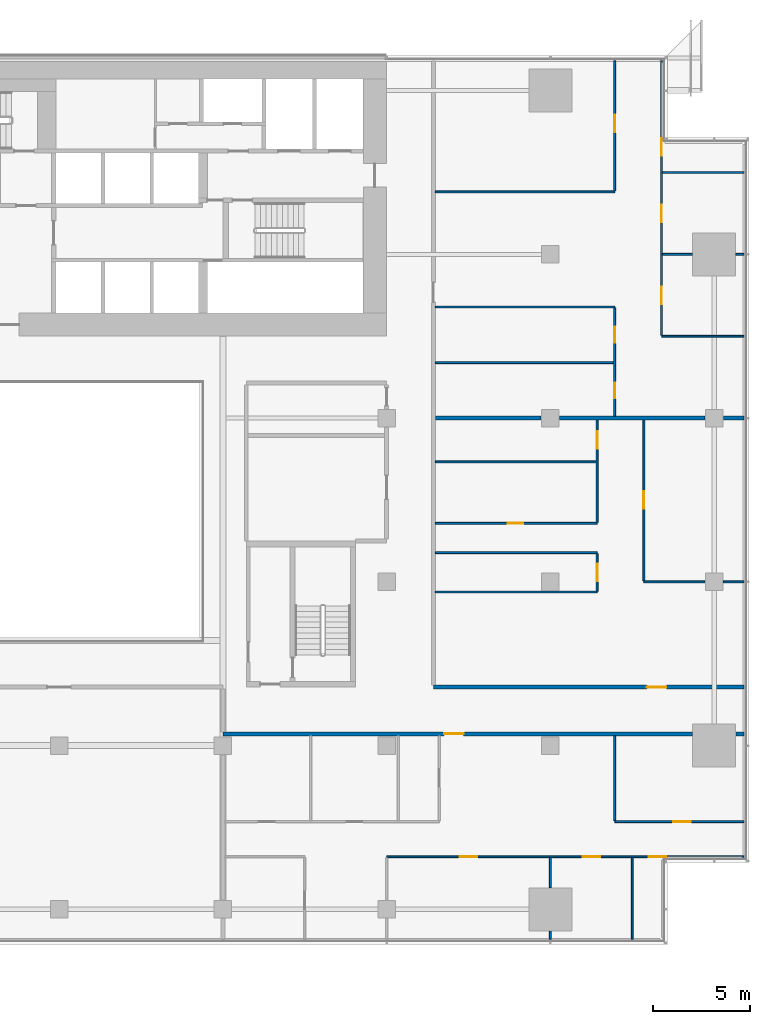
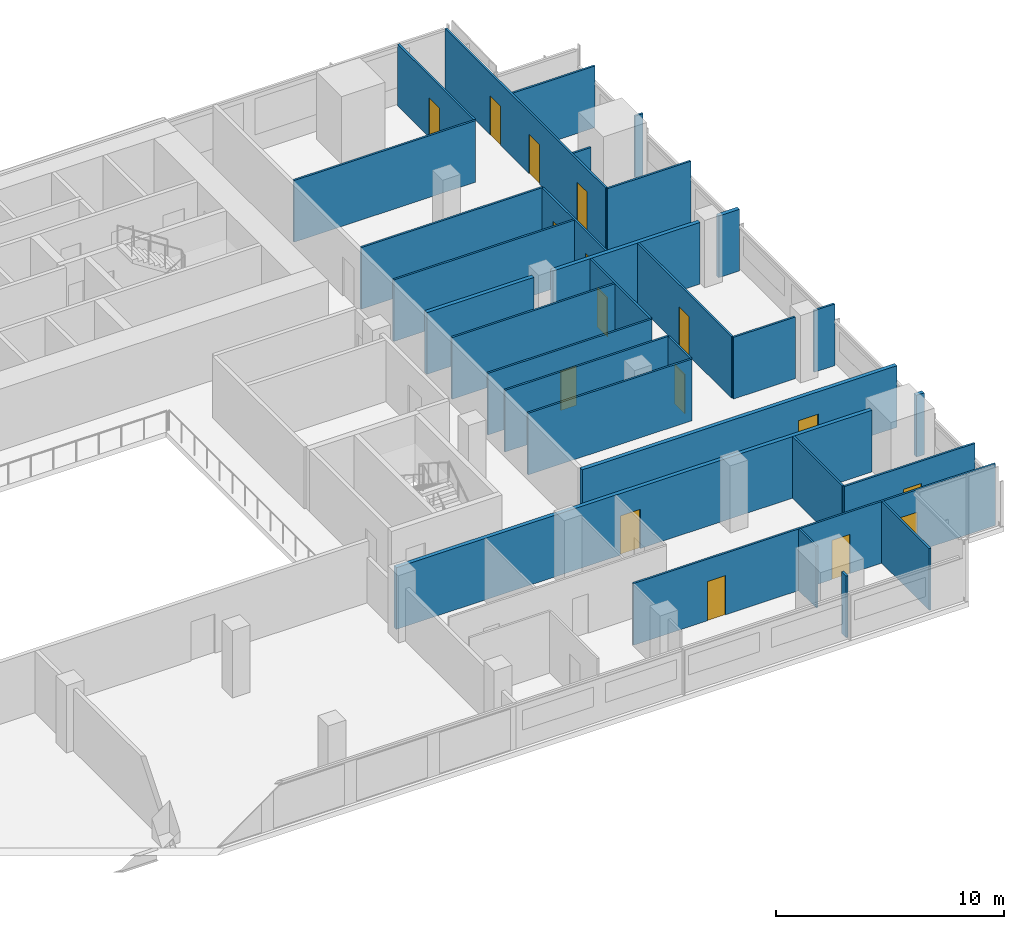
# One storey, part 22 of 25: 31 walls, 16 doors, 16 openings.
"""IFC4 building model written with IfcOpenShell, lengths in metres."""

from ifc_helpers import new_model, si_unit, direction, frame, frame_2d, origin, place, context, subcontext, project, spatial, rectangle, extrude, material, layer, layer_set, type_object, element, fill, save


model = new_model("IFC4")

# Units and contexts
model_context = context("Model", 3, precision=1e-05, world=origin(), true_north=direction((0.0, 1.0)))
body_context = subcontext(model_context, "Body", "Model", "MODEL_VIEW")
ifc_project = project(units=[si_unit("LENGTHUNIT", "METRE"), si_unit("AREAUNIT", "SQUARE_METRE"), si_unit("VOLUMEUNIT", "CUBIC_METRE"), si_unit("PLANEANGLEUNIT", "RADIAN"), si_unit("MASSUNIT", "GRAM", prefix="KILO")], contexts=[model_context])

# Site, building, storey
site_placement = place(None, origin())
site = spatial("IfcSite", under=ifc_project, at=site_placement, CompositionType="ELEMENT")
building_placement = place(site_placement, origin())
building = spatial("IfcBuilding", under=site, at=building_placement, Name="Saffron Gate Tower", CompositionType="ELEMENT")
storey_placement = place(building_placement, frame((0.0, 0.0, 80.39990234375)))
storey = spatial("IfcBuildingStorey", under=building, at=storey_placement, Name="L19", CompositionType="ELEMENT", Elevation=80.39990234375)

# Wall, openings, doors
ifc_material_1 = material(Name="Plasterboard on steel studs", Category="steel")
ifc_layer_1 = layer(ifc_material_1, 0.10009765625)
ifc_layer_set_1 = layer_set([ifc_layer_1], Name="PW1 Partition 100")
wall_type_1 = type_object("IfcWallType", Name="PW1 Partition 100", PredefinedType="PARTITIONING", material=ifc_layer_set_1)
wall_1_placement = place(storey_placement, frame((126.919921875, 34.5, 0.0), z_axis=(0.0, 0.0, 1.0), x_axis=(-1.0, 0.0, 0.0)))
wall_1 = element("IfcWall", 1, at=wall_1_placement, inside=storey, type_object=wall_type_1, Name="Partition A5-2", PredefinedType="PARTITIONING", context=body_context, shape_type="SweptSolid", body=[
    extrude(rectangle(XDim=18.31982421875, YDim=0.10009765625, at=frame_2d((9.159912109375, 0.0))), origin(), (0.0, 0.0, 1.0), 3.300048828125),
])
opening_1_placement = place(wall_1_placement, frame((3.96630859375, 0.0, 0.0)))
opening_1 = element("IfcOpeningElement", 2, at=opening_1_placement, cuts=wall_1, Name="Opening A5-9", PredefinedType="OPENING", context=body_context, shape_type="SweptSolid", body=[
    extrude(rectangle(XDim=0.89990234375, YDim=2.10009765625, at=frame_2d((0.449951171875, 1.050048828125))), frame((0.0, 0.06005859375, 0.0), z_axis=(0.0, -1.0, 0.0), x_axis=(1.0, 0.0, 0.0)), (0.0, 0.0, 1.0), 0.1201171875),
])
opening_2_placement = place(wall_1_placement, frame((7.3701171875, 0.0, 0.0)))
opening_2 = element("IfcOpeningElement", 3, at=opening_2_placement, cuts=wall_1, Name="Opening A5-8", PredefinedType="OPENING", context=body_context, shape_type="SweptSolid", body=[
    extrude(rectangle(XDim=0.89990234375, YDim=2.10009765625, at=frame_2d((0.449951171875, 1.050048828125))), frame((0.0, 0.06005859375, 0.0), z_axis=(0.0, -1.0, 0.0), x_axis=(1.0, 0.0, 0.0)), (0.0, 0.0, 1.0), 0.1201171875),
])
opening_3_placement = place(wall_1_placement, frame((13.669921875, 0.0, 0.0)))
opening_3 = element("IfcOpeningElement", 4, at=opening_3_placement, cuts=wall_1, Name="Opening A5-7", PredefinedType="OPENING", context=body_context, shape_type="SweptSolid", body=[
    extrude(rectangle(XDim=0.89990234375, YDim=2.10009765625, at=frame_2d((0.449951171875, 1.050048828125))), frame((0.0, 0.06005859375, 0.0), z_axis=(0.0, -1.0, 0.0), x_axis=(1.0, 0.0, 0.0)), (0.0, 0.0, 1.0), 0.1201171875),
])
ifc_material_2 = material(Name="Timber door set", Category="wood")
door_type_1 = type_object("IfcDoorType", Name="RD1 Room door 900x2100", OperationType="NOTDEFINED", PredefinedType="DOOR", material=ifc_material_2)
door_1_placement = place(opening_1_placement, origin())
door_1 = element("IfcDoor", 5, at=door_1_placement, inside=storey, type_object=door_type_1, Name="Door A5-9", OperationType="SINGLE_SWING_RIGHT", OverallHeight=2.10009765625, OverallWidth=0.89990234375, PredefinedType="DOOR", context=body_context, shape_type="SweptSolid", body=[
    extrude(rectangle(XDim=0.89990234375, YDim=2.10009765625, at=frame_2d((0.449951171875, 1.050048828125))), frame((0.0, 0.02490234375, 0.0), z_axis=(0.0, -1.0, 0.0), x_axis=(1.0, 0.0, 0.0)), (0.0, 0.0, 1.0), 0.050048828125),
])
fill(opening_1, door_1)
door_2_placement = place(opening_2_placement, origin())
door_2 = element("IfcDoor", 6, at=door_2_placement, inside=storey, type_object=door_type_1, Name="Door A5-8", OperationType="SINGLE_SWING_RIGHT", OverallHeight=2.10009765625, OverallWidth=0.89990234375, PredefinedType="DOOR", context=body_context, shape_type="SweptSolid", body=[
    extrude(rectangle(XDim=0.89990234375, YDim=2.10009765625, at=frame_2d((0.449951171875, 1.050048828125))), frame((0.0, 0.02490234375, 0.0), z_axis=(0.0, -1.0, 0.0), x_axis=(1.0, 0.0, 0.0)), (0.0, 0.0, 1.0), 0.050048828125),
])
fill(opening_2, door_2)
door_3_placement = place(opening_3_placement, origin())
door_3 = element("IfcDoor", 7, at=door_3_placement, inside=storey, type_object=door_type_1, Name="Door A5-7", OperationType="SINGLE_SWING_RIGHT", OverallHeight=2.10009765625, OverallWidth=0.89990234375, PredefinedType="DOOR", context=body_context, shape_type="SweptSolid", body=[
    extrude(rectangle(XDim=0.89990234375, YDim=2.10009765625, at=frame_2d((0.449951171875, 1.050048828125))), frame((0.0, 0.02490234375, 0.0), z_axis=(0.0, -1.0, 0.0), x_axis=(1.0, 0.0, 0.0)), (0.0, 0.0, 1.0), 0.050048828125),
])
fill(opening_3, door_3)

# Wall, opening, door
wall_2_placement = place(storey_placement, frame((120.300048828125, 36.300048828125, 0.0), z_axis=(0.0, 0.0, 1.0), x_axis=(1.0, 0.0, 0.0)))
wall_2 = element("IfcWall", 8, at=wall_2_placement, inside=storey, type_object=wall_type_1, Name="Partition A5-4", PredefinedType="PARTITIONING", context=body_context, shape_type="SweptSolid", body=[
    extrude(rectangle(XDim=6.619873046875, YDim=0.10009765625, at=frame_2d((3.31005859375, 0.0))), origin(), (0.0, 0.0, 1.0), 3.300048828125),
])
opening_4_placement = place(wall_2_placement, frame((3.0, 0.0, 0.0)))
opening_4 = element("IfcOpeningElement", 9, at=opening_4_placement, cuts=wall_2, Name="Opening A5-10", PredefinedType="OPENING", context=body_context, shape_type="SweptSolid", body=[
    extrude(rectangle(XDim=0.89990234375, YDim=2.10009765625, at=frame_2d((0.449951171875, 1.050048828125))), frame((0.0, 0.06005859375, 0.0), z_axis=(0.0, -1.0, 0.0), x_axis=(1.0, 0.0, 0.0)), (0.0, 0.0, 1.0), 0.1201171875),
])
door_4_placement = place(opening_4_placement, origin())
door_4 = element("IfcDoor", 10, at=door_4_placement, inside=storey, type_object=door_type_1, Name="Door A5-10", OperationType="SINGLE_SWING_RIGHT", OverallHeight=2.10009765625, OverallWidth=0.89990234375, PredefinedType="DOOR", context=body_context, shape_type="SweptSolid", body=[
    extrude(rectangle(XDim=0.89990234375, YDim=2.10009765625, at=frame_2d((0.449951171875, 1.050048828125))), frame((0.0, 0.02490234375, 0.0), z_axis=(0.0, -1.0, 0.0), x_axis=(1.0, 0.0, 0.0)), (0.0, 0.0, 1.0), 0.050048828125),
])
fill(opening_4, door_4)

# Walls
wall_3_placement = place(storey_placement, frame((111.10009765625, 48.0810546875, 0.0), z_axis=(0.0, 0.0, 1.0), x_axis=(1.0, 0.0, 0.0)))
element("IfcWall", 11, at=wall_3_placement, inside=storey, type_object=wall_type_1, Name="Partition A5-12", PredefinedType="PARTITIONING", context=body_context, shape_type="SweptSolid", body=[
    extrude(rectangle(XDim=8.2998046875, YDim=0.10009765625, at=frame_2d((4.14990234375, 0.0))), origin(), (0.0, 0.0, 1.0), 3.300048828125),
])
wall_4_placement = place(storey_placement, frame((121.800048828125, 48.60009765625, 0.0), z_axis=(0.0, 0.0, 1.0), x_axis=(1.0, 0.0, 0.0)))
element("IfcWall", 12, at=wall_4_placement, inside=storey, type_object=wall_type_1, Name="Partition A5-17", PredefinedType="PARTITIONING", context=body_context, shape_type="SweptSolid", body=[
    extrude(rectangle(XDim=3.1298828125, YDim=0.10009765625, at=frame_2d((1.56494140625, 0.0))), origin(), (0.0, 0.0, 1.0), 3.300048828125),
])
wall_5_placement = place(storey_placement, frame((125.8701171875, 48.60009765625, 0.0), z_axis=(0.0, 0.0, 1.0), x_axis=(1.0, 0.0, 0.0)))
element("IfcWall", 13, at=wall_5_placement, inside=storey, type_object=wall_type_1, Name="Partition A5-18", PredefinedType="PARTITIONING", context=body_context, shape_type="SweptSolid", body=[
    extrude(rectangle(XDim=1.0498046875, YDim=0.10009765625, at=frame_2d((0.52490234375, 0.0))), origin(), (0.0, 0.0, 1.0), 3.300048828125),
])
wall_6_placement = place(storey_placement, frame((111.10009765625, 50.10009765625, 0.0), z_axis=(0.0, 0.0, 1.0), x_axis=(1.0, 0.0, 0.0)))
element("IfcWall", 14, at=wall_6_placement, inside=storey, type_object=wall_type_1, Name="Partition A5-19", PredefinedType="PARTITIONING", context=body_context, shape_type="SweptSolid", body=[
    extrude(rectangle(XDim=8.2998046875, YDim=0.10009765625, at=frame_2d((4.14990234375, 0.0))), origin(), (0.0, 0.0, 1.0), 3.300048828125),
])

# Wall, opening, door
wall_7_placement = place(storey_placement, frame((111.10009765625, 51.60009765625, 0.0), z_axis=(0.0, 0.0, 1.0), x_axis=(1.0, 0.0, 0.0)))
wall_7 = element("IfcWall", 15, at=wall_7_placement, inside=storey, type_object=wall_type_1, Name="Partition A5-22", PredefinedType="PARTITIONING", context=body_context, shape_type="SweptSolid", body=[
    extrude(rectangle(XDim=8.2998046875, YDim=0.10009765625, at=frame_2d((4.14990234375, 0.0))), origin(), (0.0, 0.0, 1.0), 3.300048828125),
])
opening_5_placement = place(wall_7_placement, frame((3.699951171875, 0.0, 0.0)))
opening_5 = element("IfcOpeningElement", 16, at=opening_5_placement, cuts=wall_7, Name="Opening A5-31", PredefinedType="OPENING", context=body_context, shape_type="SweptSolid", body=[
    extrude(rectangle(XDim=0.800048828125, YDim=2.10009765625, at=frame_2d((0.39990234375, 1.050048828125))), frame((0.0, 0.06005859375, 0.0), z_axis=(0.0, -1.0, 0.0), x_axis=(1.0, 0.0, 0.0)), (0.0, 0.0, 1.0), 0.1201171875),
])
door_type_2 = type_object("IfcDoorType", Name="RD2 Bathroom door 800x2100", OperationType="NOTDEFINED", PredefinedType="DOOR", material=ifc_material_2)
door_5_placement = place(opening_5_placement, origin())
door_5 = element("IfcDoor", 17, at=door_5_placement, inside=storey, type_object=door_type_2, Name="Door A5-31", OperationType="SINGLE_SWING_LEFT", OverallHeight=2.10009765625, OverallWidth=0.800048828125, PredefinedType="DOOR", context=body_context, shape_type="SweptSolid", body=[
    extrude(rectangle(XDim=0.800048828125, YDim=2.10009765625, at=frame_2d((0.39990234375, 1.050048828125))), frame((0.0, 0.02490234375, 0.0), z_axis=(0.0, -1.0, 0.0), x_axis=(1.0, 0.0, 0.0)), (0.0, 0.0, 1.0), 0.050048828125),
])
fill(opening_5, door_5)

# Walls
wall_8_placement = place(storey_placement, frame((111.10009765625, 54.7548828125, 0.0), z_axis=(0.0, 0.0, 1.0), x_axis=(1.0, 0.0, 0.0)))
element("IfcWall", 18, at=wall_8_placement, inside=storey, type_object=wall_type_1, Name="Partition A5-24", PredefinedType="PARTITIONING", context=body_context, shape_type="SweptSolid", body=[
    extrude(rectangle(XDim=8.25, YDim=0.10009765625, at=frame_2d((4.125, 0.0))), origin(), (0.0, 0.0, 1.0), 3.300048828125),
])
wall_9_placement = place(storey_placement, frame((111.10009765625, 59.849609375, 0.0), z_axis=(0.0, 0.0, 1.0), x_axis=(1.0, 0.0, 0.0)))
element("IfcWall", 19, at=wall_9_placement, inside=storey, type_object=wall_type_1, Name="Partition A5-34", PredefinedType="PARTITIONING", context=body_context, shape_type="SweptSolid", body=[
    extrude(rectangle(XDim=9.14990234375, YDim=0.10009765625, at=frame_2d((4.574951171875, 0.0))), origin(), (0.0, 0.0, 1.0), 3.300048828125),
])
wall_10_placement = place(storey_placement, frame((122.699951171875, 61.199951171875, 0.0), z_axis=(0.0, 0.0, 1.0), x_axis=(1.0, 0.0, 0.0)))
element("IfcWall", 20, at=wall_10_placement, inside=storey, type_object=wall_type_1, Name="Partition A5-37", PredefinedType="PARTITIONING", context=body_context, shape_type="SweptSolid", body=[
    extrude(rectangle(XDim=4.219970703125, YDim=0.10009765625, at=frame_2d((2.10986328125, 0.0))), origin(), (0.0, 0.0, 1.0), 3.300048828125),
])
wall_11_placement = place(storey_placement, frame((111.10009765625, 62.699951171875, 0.0), z_axis=(0.0, 0.0, 1.0), x_axis=(1.0, 0.0, 0.0)))
element("IfcWall", 21, at=wall_11_placement, inside=storey, type_object=wall_type_1, Name="Partition A5-38", PredefinedType="PARTITIONING", context=body_context, shape_type="SweptSolid", body=[
    extrude(rectangle(XDim=9.199951171875, YDim=0.10009765625, at=frame_2d((4.60009765625, 0.0))), origin(), (0.0, 0.0, 1.0), 3.300048828125),
])
wall_12_placement = place(storey_placement, frame((122.75, 65.39990234375, 0.0), z_axis=(0.0, 0.0, 1.0), x_axis=(1.0, 0.0, 0.0)))
element("IfcWall", 22, at=wall_12_placement, inside=storey, type_object=wall_type_1, Name="Partition A5-43", PredefinedType="PARTITIONING", context=body_context, shape_type="SweptSolid", body=[
    extrude(rectangle(XDim=1.530029296875, YDim=0.10009765625, at=frame_2d((0.76513671875, 0.0))), origin(), (0.0, 0.0, 1.0), 2.41015625),
])
wall_13_placement = place(storey_placement, frame((126.52001953125, 65.39990234375, 0.0), z_axis=(0.0, 0.0, 1.0), x_axis=(1.0, 0.0, 0.0)))
element("IfcWall", 23, at=wall_13_placement, inside=storey, type_object=wall_type_1, Name="Partition A5-44", PredefinedType="PARTITIONING", context=body_context, shape_type="SweptSolid", body=[
    extrude(rectangle(XDim=0.39990234375, YDim=0.10009765625, at=frame_2d((0.199951171875, 0.0))), origin(), (0.0, 0.0, 1.0), 3.300048828125),
])
wall_14_placement = place(storey_placement, frame((111.10009765625, 68.608642578125, 0.0), z_axis=(0.0, 0.0, 1.0), x_axis=(1.0, 0.0, 0.0)))
element("IfcWall", 24, at=wall_14_placement, inside=storey, type_object=wall_type_1, Name="Partition A5-45", PredefinedType="PARTITIONING", context=body_context, shape_type="SweptSolid", body=[
    extrude(rectangle(XDim=9.199951171875, YDim=0.10009765625, at=frame_2d((4.60009765625, 0.0))), origin(), (0.0, 0.0, 1.0), 3.300048828125),
])
wall_15_placement = place(storey_placement, frame((122.75, 69.60009765625, 0.0), z_axis=(0.0, 0.0, 1.0), x_axis=(1.0, 0.0, 0.0)))
element("IfcWall", 25, at=wall_15_placement, inside=storey, type_object=wall_type_1, Name="Partition A5-47", PredefinedType="PARTITIONING", context=body_context, shape_type="SweptSolid", body=[
    extrude(rectangle(XDim=4.169921875, YDim=0.10009765625, at=frame_2d((2.0849609375, 0.0))), origin(), (0.0, 0.0, 1.0), 3.300048828125),
])
wall_16_placement = place(storey_placement, frame((117.0, 30.679931640625, 0.0), z_axis=(0.0, 0.0, 1.0), x_axis=(0.0, -1.0, 0.0)))
element("IfcWall", 26, at=wall_16_placement, inside=storey, type_object=wall_type_1, Name="Partition A5-81", PredefinedType="PARTITIONING", context=body_context, shape_type="SweptSolid", body=[
    extrude(rectangle(XDim=0.39990234375, YDim=0.10009765625, at=frame_2d((0.199951171875, 0.0))), origin(), (0.0, 0.0, 1.0), 3.300048828125),
])
wall_17_placement = place(storey_placement, frame((117.0, 34.449951171875, 0.0), z_axis=(0.0, 0.0, 1.0), x_axis=(0.0, -1.0, 0.0)))
element("IfcWall", 27, at=wall_17_placement, inside=storey, type_object=wall_type_1, Name="Partition A5-82", PredefinedType="PARTITIONING", context=body_context, shape_type="SweptSolid", body=[
    extrude(rectangle(XDim=1.530029296875, YDim=0.10009765625, at=frame_2d((0.76513671875, 0.0))), origin(), (0.0, 0.0, 1.0), 3.300048828125),
])

# Wall, opening, door
wall_18_placement = place(storey_placement, frame((119.39990234375, 48.131103515625, 0.0), z_axis=(0.0, 0.0, 1.0), x_axis=(0.0, 1.0, 0.0)))
wall_18 = element("IfcWall", 28, at=wall_18_placement, inside=storey, type_object=wall_type_1, Name="Partition A5-83", PredefinedType="PARTITIONING", context=body_context, shape_type="SweptSolid", body=[
    extrude(rectangle(XDim=1.9189453125, YDim=0.10009765625, at=frame_2d((0.95947265625, 0.0))), origin(), (0.0, 0.0, 1.0), 3.300048828125),
])
opening_6_placement = place(wall_18_placement, frame((0.509521484375, 0.0, 0.0)))
opening_6 = element("IfcOpeningElement", 29, at=opening_6_placement, cuts=wall_18, Name="Opening A5-19", PredefinedType="OPENING", context=body_context, shape_type="SweptSolid", body=[
    extrude(rectangle(XDim=0.89990234375, YDim=2.10009765625, at=frame_2d((0.449951171875, 1.050048828125))), frame((0.0, 0.06005859375, 0.0), z_axis=(0.0, -1.0, 0.0), x_axis=(1.0, 0.0, 0.0)), (0.0, 0.0, 1.0), 0.1201171875),
])
door_6_placement = place(opening_6_placement, origin())
door_6 = element("IfcDoor", 30, at=door_6_placement, inside=storey, type_object=door_type_1, Name="Door A5-19", OperationType="SINGLE_SWING_LEFT", OverallHeight=2.10009765625, OverallWidth=0.89990234375, PredefinedType="DOOR", context=body_context, shape_type="SweptSolid", body=[
    extrude(rectangle(XDim=0.89990234375, YDim=2.10009765625, at=frame_2d((0.449951171875, 1.050048828125))), frame((0.0, 0.02490234375, 0.0), z_axis=(0.0, -1.0, 0.0), x_axis=(1.0, 0.0, 0.0)), (0.0, 0.0, 1.0), 0.050048828125),
])
fill(opening_6, door_6)

wall_19_placement = place(storey_placement, frame((119.39990234375, 51.64990234375, 0.0), z_axis=(0.0, 0.0, 1.0), x_axis=(0.0, 1.0, 0.0)))
wall_19 = element("IfcWall", 31, at=wall_19_placement, inside=storey, type_object=wall_type_1, Name="Partition A5-84", PredefinedType="PARTITIONING", context=body_context, shape_type="SweptSolid", body=[
    extrude(rectangle(XDim=5.25, YDim=0.10009765625, at=frame_2d((2.625, 0.0))), origin(), (0.0, 0.0, 1.0), 3.300048828125),
])
opening_7_placement = place(wall_19_placement, frame((3.77734375, 0.0, 0.0)))
opening_7 = element("IfcOpeningElement", 32, at=opening_7_placement, cuts=wall_19, Name="Opening A5-20", PredefinedType="OPENING", context=body_context, shape_type="SweptSolid", body=[
    extrude(rectangle(XDim=0.89990234375, YDim=2.10009765625, at=frame_2d((0.449951171875, 1.050048828125))), frame((0.0, 0.06005859375, 0.0), z_axis=(0.0, -1.0, 0.0), x_axis=(1.0, 0.0, 0.0)), (0.0, 0.0, 1.0), 0.1201171875),
])
door_7_placement = place(opening_7_placement, origin())
door_7 = element("IfcDoor", 33, at=door_7_placement, inside=storey, type_object=door_type_1, Name="Door A5-20", OperationType="SINGLE_SWING_RIGHT", OverallHeight=2.10009765625, OverallWidth=0.89990234375, PredefinedType="DOOR", context=body_context, shape_type="SweptSolid", body=[
    extrude(rectangle(XDim=0.89990234375, YDim=2.10009765625, at=frame_2d((0.449951171875, 1.050048828125))), frame((0.0, 0.02490234375, 0.0), z_axis=(0.0, -1.0, 0.0), x_axis=(1.0, 0.0, 0.0)), (0.0, 0.0, 1.0), 0.050048828125),
])
fill(opening_7, door_7)

# Wall
wall_20_placement = place(storey_placement, frame((120.300048828125, 40.699951171875, 0.0), z_axis=(0.0, 0.0, 1.0), x_axis=(0.0, -1.0, 0.0)))
element("IfcWall", 34, at=wall_20_placement, inside=storey, type_object=wall_type_1, Name="Partition A5-85", PredefinedType="PARTITIONING", context=body_context, shape_type="SweptSolid", body=[
    extrude(rectangle(XDim=4.349853515625, YDim=0.10009765625, at=frame_2d((2.1748046875, 0.0))), origin(), (0.0, 0.0, 1.0), 3.300048828125),
])

# Wall, openings, doors
wall_21_placement = place(storey_placement, frame((120.300048828125, 57.10009765625, 0.0), z_axis=(0.0, 0.0, 1.0), x_axis=(0.0, 1.0, 0.0)))
wall_21 = element("IfcWall", 35, at=wall_21_placement, inside=storey, type_object=wall_type_1, Name="Partition A5-86", PredefinedType="PARTITIONING", context=body_context, shape_type="SweptSolid", body=[
    extrude(rectangle(XDim=5.5498046875, YDim=0.10009765625, at=frame_2d((2.77490234375, 0.0))), origin(), (0.0, 0.0, 1.0), 3.300048828125),
])
opening_8_placement = place(wall_21_placement, frame((0.9248046875, 0.0, 0.0)))
opening_8 = element("IfcOpeningElement", 36, at=opening_8_placement, cuts=wall_21, Name="Opening A5-32", PredefinedType="OPENING", context=body_context, shape_type="SweptSolid", body=[
    extrude(rectangle(XDim=0.800048828125, YDim=2.10009765625, at=frame_2d((0.39990234375, 1.050048828125))), frame((0.0, 0.06005859375, 0.0), z_axis=(0.0, -1.0, 0.0), x_axis=(1.0, 0.0, 0.0)), (0.0, 0.0, 1.0), 0.1201171875),
])
opening_9_placement = place(wall_21_placement, frame((3.77490234375, 0.0, 0.0)))
opening_9 = element("IfcOpeningElement", 37, at=opening_9_placement, cuts=wall_21, Name="Opening A5-33", PredefinedType="OPENING", context=body_context, shape_type="SweptSolid", body=[
    extrude(rectangle(XDim=0.800048828125, YDim=2.10009765625, at=frame_2d((0.39990234375, 1.050048828125))), frame((0.0, 0.06005859375, 0.0), z_axis=(0.0, -1.0, 0.0), x_axis=(1.0, 0.0, 0.0)), (0.0, 0.0, 1.0), 0.1201171875),
])
door_8_placement = place(opening_8_placement, origin())
door_8 = element("IfcDoor", 38, at=door_8_placement, inside=storey, type_object=door_type_2, Name="Door A5-32", OperationType="SINGLE_SWING_LEFT", OverallHeight=2.10009765625, OverallWidth=0.800048828125, PredefinedType="DOOR", context=body_context, shape_type="SweptSolid", body=[
    extrude(rectangle(XDim=0.800048828125, YDim=2.10009765625, at=frame_2d((0.39990234375, 1.050048828125))), frame((0.0, 0.02490234375, 0.0), z_axis=(0.0, -1.0, 0.0), x_axis=(1.0, 0.0, 0.0)), (0.0, 0.0, 1.0), 0.050048828125),
])
fill(opening_8, door_8)
door_9_placement = place(opening_9_placement, origin())
door_9 = element("IfcDoor", 39, at=door_9_placement, inside=storey, type_object=door_type_2, Name="Door A5-33", OperationType="SINGLE_SWING_RIGHT", OverallHeight=2.10009765625, OverallWidth=0.800048828125, PredefinedType="DOOR", context=body_context, shape_type="SweptSolid", body=[
    extrude(rectangle(XDim=0.800048828125, YDim=2.10009765625, at=frame_2d((0.39990234375, 1.050048828125))), frame((0.0, 0.02490234375, 0.0), z_axis=(0.0, -1.0, 0.0), x_axis=(1.0, 0.0, 0.0)), (0.0, 0.0, 1.0), 0.050048828125),
])
fill(opening_9, door_9)

# Wall, opening, door
wall_22_placement = place(storey_placement, frame((120.300048828125, 68.65869140625, 0.0), z_axis=(0.0, 0.0, 1.0), x_axis=(0.0, 1.0, 0.0)))
wall_22 = element("IfcWall", 40, at=wall_22_placement, inside=storey, type_object=wall_type_1, Name="Partition A5-87", PredefinedType="PARTITIONING", context=body_context, shape_type="SweptSolid", body=[
    extrude(rectangle(XDim=6.661376953125, YDim=0.10009765625, at=frame_2d((3.33056640625, 0.0))), origin(), (0.0, 0.0, 1.0), 3.300048828125),
])
opening_10_placement = place(wall_22_placement, frame((2.99560546875, 0.0, 0.0)))
opening_10 = element("IfcOpeningElement", 41, at=opening_10_placement, cuts=wall_22, Name="Opening A5-24", PredefinedType="OPENING", context=body_context, shape_type="SweptSolid", body=[
    extrude(rectangle(XDim=0.89990234375, YDim=2.10009765625, at=frame_2d((0.449951171875, 1.050048828125))), frame((0.0, 0.06005859375, 0.0), z_axis=(0.0, -1.0, 0.0), x_axis=(1.0, 0.0, 0.0)), (0.0, 0.0, 1.0), 0.1201171875),
])
door_10_placement = place(opening_10_placement, origin())
door_10 = element("IfcDoor", 42, at=door_10_placement, inside=storey, type_object=door_type_1, Name="Door A5-24", OperationType="SINGLE_SWING_RIGHT", OverallHeight=2.10009765625, OverallWidth=0.89990234375, PredefinedType="DOOR", context=body_context, shape_type="SweptSolid", body=[
    extrude(rectangle(XDim=0.89990234375, YDim=2.10009765625, at=frame_2d((0.449951171875, 1.050048828125))), frame((0.0, 0.02490234375, 0.0), z_axis=(0.0, -1.0, 0.0), x_axis=(1.0, 0.0, 0.0)), (0.0, 0.0, 1.0), 0.050048828125),
])
fill(opening_10, door_10)

# Wall
wall_23_placement = place(storey_placement, frame((121.199951171875, 34.449951171875, 0.0), z_axis=(0.0, 0.0, 1.0), x_axis=(0.0, -1.0, 0.0)))
element("IfcWall", 43, at=wall_23_placement, inside=storey, type_object=wall_type_1, Name="Partition A5-88", PredefinedType="PARTITIONING", context=body_context, shape_type="SweptSolid", body=[
    extrude(rectangle(XDim=4.169921875, YDim=0.10009765625, at=frame_2d((2.0849609375, 0.0))), origin(), (0.0, 0.0, 1.0), 3.300048828125),
])

# Wall, opening, door
wall_24_placement = place(storey_placement, frame((121.800048828125, 56.89990234375, 0.0), z_axis=(0.0, 0.0, 1.0), x_axis=(0.0, -1.0, 0.0)))
wall_24 = element("IfcWall", 44, at=wall_24_placement, inside=storey, type_object=wall_type_1, Name="Partition A5-89", PredefinedType="PARTITIONING", context=body_context, shape_type="SweptSolid", body=[
    extrude(rectangle(XDim=8.25, YDim=0.10009765625, at=frame_2d((4.125, 0.0))), origin(), (0.0, 0.0, 1.0), 3.300048828125),
])
opening_11_placement = place(wall_24_placement, frame((3.64990234375, 0.0, 0.0)))
opening_11 = element("IfcOpeningElement", 45, at=opening_11_placement, cuts=wall_24, Name="Opening A5-18", PredefinedType="OPENING", context=body_context, shape_type="SweptSolid", body=[
    extrude(rectangle(XDim=0.89990234375, YDim=2.10009765625, at=frame_2d((0.449951171875, 1.050048828125))), frame((0.0, 0.06005859375, 0.0), z_axis=(0.0, -1.0, 0.0), x_axis=(1.0, 0.0, 0.0)), (0.0, 0.0, 1.0), 0.1201171875),
])
door_11_placement = place(opening_11_placement, origin())
door_11 = element("IfcDoor", 46, at=door_11_placement, inside=storey, type_object=door_type_1, Name="Door A5-18", OperationType="SINGLE_SWING_LEFT", OverallHeight=2.10009765625, OverallWidth=0.89990234375, PredefinedType="DOOR", context=body_context, shape_type="SweptSolid", body=[
    extrude(rectangle(XDim=0.89990234375, YDim=2.10009765625, at=frame_2d((0.449951171875, 1.050048828125))), frame((0.0, 0.02490234375, 0.0), z_axis=(0.0, -1.0, 0.0), x_axis=(1.0, 0.0, 0.0)), (0.0, 0.0, 1.0), 0.050048828125),
])
fill(opening_11, door_11)

# Wall, openings, doors
wall_25_placement = place(storey_placement, frame((122.699951171875, 75.320068359375, 0.0), z_axis=(0.0, 0.0, 1.0), x_axis=(0.0, -1.0, 0.0)))
wall_25 = element("IfcWall", 47, at=wall_25_placement, inside=storey, type_object=wall_type_1, Name="Partition A5-90", PredefinedType="PARTITIONING", context=body_context, shape_type="SweptSolid", body=[
    extrude(rectangle(XDim=14.070068359375, YDim=0.10009765625, at=frame_2d((7.03515625, 0.0))), origin(), (0.0, 0.0, 1.0), 3.300048828125),
])
opening_12_placement = place(wall_25_placement, frame((3.96630859375, 0.0, 0.0)))
opening_12 = element("IfcOpeningElement", 48, at=opening_12_placement, cuts=wall_25, Name="Opening A5-23", PredefinedType="OPENING", context=body_context, shape_type="SweptSolid", body=[
    extrude(rectangle(XDim=0.89990234375, YDim=2.10009765625, at=frame_2d((0.449951171875, 1.050048828125))), frame((0.0, 0.06005859375, 0.0), z_axis=(0.0, -1.0, 0.0), x_axis=(1.0, 0.0, 0.0)), (0.0, 0.0, 1.0), 0.1201171875),
])
opening_13_placement = place(wall_25_placement, frame((7.3701171875, 0.0, 0.0)))
opening_13 = element("IfcOpeningElement", 49, at=opening_13_placement, cuts=wall_25, Name="Opening A5-22", PredefinedType="OPENING", context=body_context, shape_type="SweptSolid", body=[
    extrude(rectangle(XDim=0.89990234375, YDim=2.10009765625, at=frame_2d((0.449951171875, 1.050048828125))), frame((0.0, 0.06005859375, 0.0), z_axis=(0.0, -1.0, 0.0), x_axis=(1.0, 0.0, 0.0)), (0.0, 0.0, 1.0), 0.1201171875),
])
opening_14_placement = place(wall_25_placement, frame((11.570068359375, 0.0, 0.0)))
opening_14 = element("IfcOpeningElement", 50, at=opening_14_placement, cuts=wall_25, Name="Opening A5-21", PredefinedType="OPENING", context=body_context, shape_type="SweptSolid", body=[
    extrude(rectangle(XDim=0.89990234375, YDim=2.10009765625, at=frame_2d((0.449951171875, 1.050048828125))), frame((0.0, 0.06005859375, 0.0), z_axis=(0.0, -1.0, 0.0), x_axis=(1.0, 0.0, 0.0)), (0.0, 0.0, 1.0), 0.1201171875),
])
door_12_placement = place(opening_12_placement, origin())
door_12 = element("IfcDoor", 51, at=door_12_placement, inside=storey, type_object=door_type_1, Name="Door A5-23", OperationType="SINGLE_SWING_RIGHT", OverallHeight=2.10009765625, OverallWidth=0.89990234375, PredefinedType="DOOR", context=body_context, shape_type="SweptSolid", body=[
    extrude(rectangle(XDim=0.89990234375, YDim=2.10009765625, at=frame_2d((0.449951171875, 1.050048828125))), frame((0.0, 0.02490234375, 0.0), z_axis=(0.0, -1.0, 0.0), x_axis=(1.0, 0.0, 0.0)), (0.0, 0.0, 1.0), 0.050048828125),
])
fill(opening_12, door_12)
door_13_placement = place(opening_13_placement, origin())
door_13 = element("IfcDoor", 52, at=door_13_placement, inside=storey, type_object=door_type_1, Name="Door A5-22", OperationType="SINGLE_SWING_RIGHT", OverallHeight=2.10009765625, OverallWidth=0.89990234375, PredefinedType="DOOR", context=body_context, shape_type="SweptSolid", body=[
    extrude(rectangle(XDim=0.89990234375, YDim=2.10009765625, at=frame_2d((0.449951171875, 1.050048828125))), frame((0.0, 0.02490234375, 0.0), z_axis=(0.0, -1.0, 0.0), x_axis=(1.0, 0.0, 0.0)), (0.0, 0.0, 1.0), 0.050048828125),
])
fill(opening_13, door_13)
door_14_placement = place(opening_14_placement, origin())
door_14 = element("IfcDoor", 53, at=door_14_placement, inside=storey, type_object=door_type_1, Name="Door A5-21", OperationType="SINGLE_SWING_RIGHT", OverallHeight=2.10009765625, OverallWidth=0.89990234375, PredefinedType="DOOR", context=body_context, shape_type="SweptSolid", body=[
    extrude(rectangle(XDim=0.89990234375, YDim=2.10009765625, at=frame_2d((0.449951171875, 1.050048828125))), frame((0.0, 0.02490234375, 0.0), z_axis=(0.0, -1.0, 0.0), x_axis=(1.0, 0.0, 0.0)), (0.0, 0.0, 1.0), 0.050048828125),
])
fill(opening_14, door_14)

# Walls
ifc_material_3 = material(Name="Clay brick masonry, rendered", Category="masonry")
ifc_layer_2 = layer(ifc_material_3, 0.199951171875)
ifc_layer_set_2 = layer_set([ifc_layer_2], Name="PW2 Demising wall 200")
wall_type_2 = type_object("IfcWallType", Name="PW2 Demising wall 200", PredefinedType="PARTITIONING", material=ifc_layer_set_2)
wall_26_placement = place(storey_placement, frame((111.10009765625, 57.0, 0.0), z_axis=(0.0, 0.0, 1.0), x_axis=(1.0, 0.0, 0.0)))
element("IfcWall", 54, at=wall_26_placement, inside=storey, type_object=wall_type_2, Name="Wall A5-27", PredefinedType="PARTITIONING", context=body_context, shape_type="SweptSolid", body=[
    extrude(rectangle(XDim=5.429931640625, YDim=0.199951171875, at=frame_2d((2.71484375, 0.0))), origin(), (0.0, 0.0, 1.0), 3.300048828125),
])
wall_27_placement = place(storey_placement, frame((117.469970703125, 57.0, 0.0), z_axis=(0.0, 0.0, 1.0), x_axis=(1.0, 0.0, 0.0)))
element("IfcWall", 55, at=wall_27_placement, inside=storey, type_object=wall_type_2, Name="Wall A5-28", PredefinedType="PARTITIONING", context=body_context, shape_type="SweptSolid", body=[
    extrude(rectangle(XDim=7.4599609375, YDim=0.199951171875, at=frame_2d((3.72998046875, 0.0))), origin(), (0.0, 0.0, 1.0), 3.300048828125),
])
wall_28_placement = place(storey_placement, frame((125.8701171875, 57.0, 0.0), z_axis=(0.0, 0.0, 1.0), x_axis=(1.0, 0.0, 0.0)))
element("IfcWall", 56, at=wall_28_placement, inside=storey, type_object=wall_type_2, Name="Wall A5-29", PredefinedType="PARTITIONING", context=body_context, shape_type="SweptSolid", body=[
    extrude(rectangle(XDim=1.0498046875, YDim=0.199951171875, at=frame_2d((0.52490234375, 0.0))), origin(), (0.0, 0.0, 1.0), 3.300048828125),
])

# Wall, opening, door
ifc_layer_3 = layer(ifc_material_3, 0.199951171875)
ifc_layer_set_3 = layer_set([ifc_layer_3], Name="PW3 Corridor wall 200")
wall_type_3 = type_object("IfcWallType", Name="PW3 Corridor wall 200", PredefinedType="PARTITIONING", material=ifc_layer_set_3)
wall_29_placement = place(storey_placement, frame((124.280029296875, 40.800048828125, 0.0), z_axis=(0.0, 0.0, 1.0), x_axis=(-1.0, 0.0, 0.0)))
wall_29 = element("IfcWall", 57, at=wall_29_placement, inside=storey, type_object=wall_type_3, Name="Wall A5-7", PredefinedType="PARTITIONING", context=body_context, shape_type="SweptSolid", body=[
    extrude(rectangle(XDim=24.080078125, YDim=0.199951171875, at=frame_2d((12.0400390625, 0.0))), origin(), (0.0, 0.0, 1.0), 3.300048828125),
])
opening_15_placement = place(wall_29_placement, frame((11.72998046875, 0.0, 0.0)))
opening_15 = element("IfcOpeningElement", 58, at=opening_15_placement, cuts=wall_29, Name="Opening A5-1", PredefinedType="OPENING", context=body_context, shape_type="SweptSolid", body=[
    extrude(rectangle(XDim=1.0, YDim=2.10009765625, at=frame_2d((0.5, 1.050048828125))), frame((0.0, 0.10986328125, 0.0), z_axis=(0.0, -1.0, 0.0), x_axis=(1.0, 0.0, 0.0)), (0.0, 0.0, 1.0), 0.219970703125),
])
ifc_material_4 = material(Name="Timber fire door set", Category="wood")
door_type_3 = type_object("IfcDoorType", Name="FD1 Flat entry door 1000x2100", OperationType="NOTDEFINED", PredefinedType="DOOR", material=ifc_material_4)
door_15_placement = place(opening_15_placement, origin())
door_15 = element("IfcDoor", 59, at=door_15_placement, inside=storey, type_object=door_type_3, Name="Door A5-1", OperationType="SINGLE_SWING_RIGHT", OverallHeight=2.10009765625, OverallWidth=1.0, PredefinedType="DOOR", context=body_context, shape_type="SweptSolid", body=[
    extrude(rectangle(XDim=1.0, YDim=2.10009765625, at=frame_2d((0.5, 1.050048828125))), frame((0.0, 0.02490234375, 0.0), z_axis=(0.0, -1.0, 0.0), x_axis=(1.0, 0.0, 0.0)), (0.0, 0.0, 1.0), 0.050048828125),
])
fill(opening_15, door_15)

# Wall
wall_30_placement = place(storey_placement, frame((126.52001953125, 40.800048828125, 0.0), z_axis=(0.0, 0.0, 1.0), x_axis=(1.0, 0.0, 0.0)))
element("IfcWall", 60, at=wall_30_placement, inside=storey, type_object=wall_type_3, Name="Wall A5-8", PredefinedType="PARTITIONING", context=body_context, shape_type="SweptSolid", body=[
    extrude(rectangle(XDim=0.39990234375, YDim=0.199951171875, at=frame_2d((0.199951171875, 0.0))), origin(), (0.0, 0.0, 1.0), 3.300048828125),
])

# Wall, opening, door
wall_31_placement = place(storey_placement, frame((111.0, 43.199951171875, 0.0), z_axis=(0.0, 0.0, 1.0), x_axis=(1.0, 0.0, 0.0)))
wall_31 = element("IfcWall", 61, at=wall_31_placement, inside=storey, type_object=wall_type_3, Name="Wall A5-11", PredefinedType="PARTITIONING", context=body_context, shape_type="SweptSolid", body=[
    extrude(rectangle(XDim=15.919921875, YDim=0.199951171875, at=frame_2d((7.9599609375, 0.0))), origin(), (0.0, 0.0, 1.0), 3.300048828125),
])
opening_16_placement = place(wall_31_placement, frame((10.949951171875, 0.0, 0.0)))
opening_16 = element("IfcOpeningElement", 62, at=opening_16_placement, cuts=wall_31, Name="Opening A5-4", PredefinedType="OPENING", context=body_context, shape_type="SweptSolid", body=[
    extrude(rectangle(XDim=1.0, YDim=2.10009765625, at=frame_2d((0.5, 1.050048828125))), frame((0.0, 0.10986328125, 0.0), z_axis=(0.0, -1.0, 0.0), x_axis=(1.0, 0.0, 0.0)), (0.0, 0.0, 1.0), 0.219970703125),
])
door_16_placement = place(opening_16_placement, origin())
door_16 = element("IfcDoor", 63, at=door_16_placement, inside=storey, type_object=door_type_3, Name="Door A5-4", OperationType="SINGLE_SWING_LEFT", OverallHeight=2.10009765625, OverallWidth=1.0, PredefinedType="DOOR", context=body_context, shape_type="SweptSolid", body=[
    extrude(rectangle(XDim=1.0, YDim=2.10009765625, at=frame_2d((0.5, 1.050048828125))), frame((0.0, 0.02490234375, 0.0), z_axis=(0.0, -1.0, 0.0), x_axis=(1.0, 0.0, 0.0)), (0.0, 0.0, 1.0), 0.050048828125),
])
fill(opening_16, door_16)

save(model, "model.ifc")
